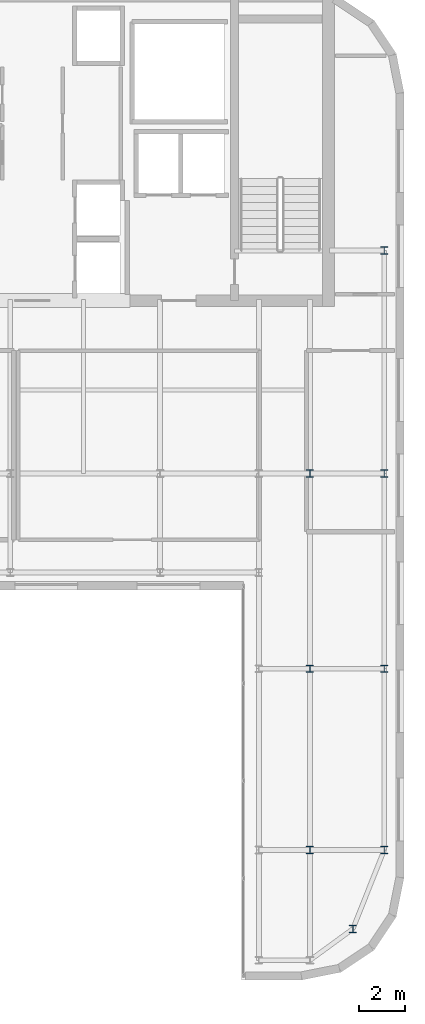
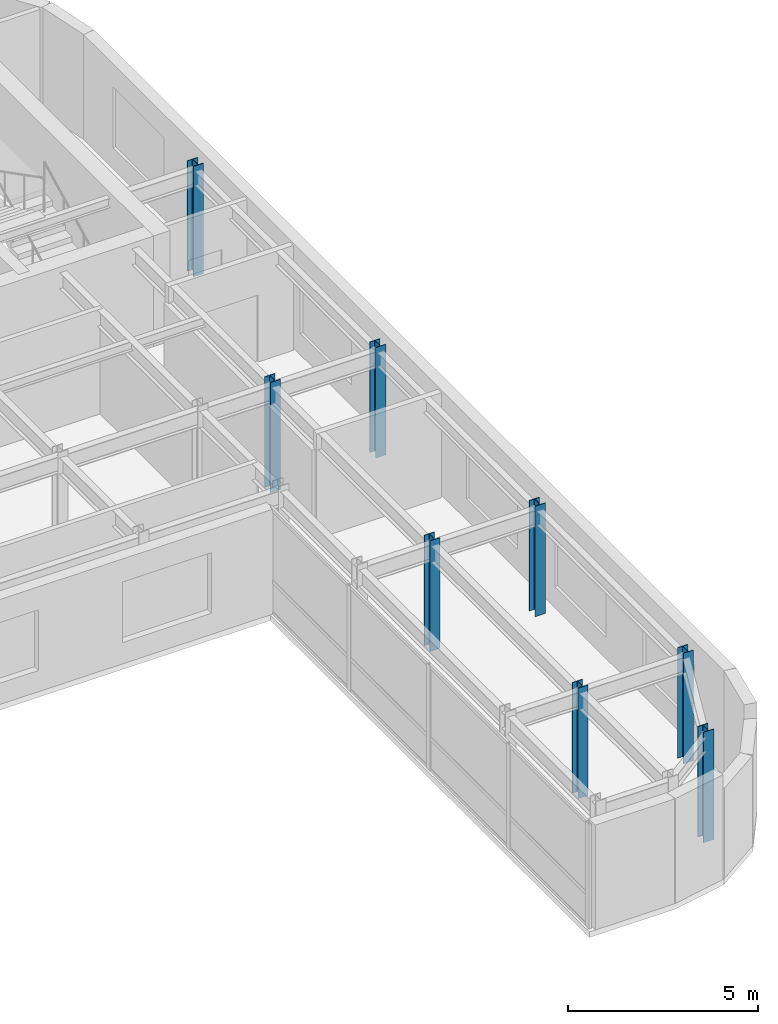
# One storey, part 2 of 18: 8 columns.
"""IFC4 building model written with IfcOpenShell, lengths in metres."""

from ifc_helpers import new_model, si_unit, direction, frame, origin, origin_2d, place, context, subcontext, project, spatial, i_section, extrude, source, transform, mapped, material, material_profile, profile_set, type_object, type_shapes, element, save


model = new_model("IFC4")

# Units and contexts
model_context = context("Model", 3, precision=1e-05, world=origin(), true_north=direction((0.0, 1.0)))
body_context = subcontext(model_context, "Body", "Model", "MODEL_VIEW")
ifc_project = project(units=[si_unit("LENGTHUNIT", "METRE"), si_unit("AREAUNIT", "SQUARE_METRE"), si_unit("VOLUMEUNIT", "CUBIC_METRE"), si_unit("PLANEANGLEUNIT", "RADIAN"), si_unit("MASSUNIT", "GRAM", prefix="KILO")], contexts=[model_context])

# Site, building, storey
site_placement = place(None, origin())
site = spatial("IfcSite", under=ifc_project, at=site_placement, CompositionType="ELEMENT")
building_placement = place(site_placement, origin())
building = spatial("IfcBuilding", under=site, at=building_placement, Name="Tolvann Quenvar Hotel", CompositionType="ELEMENT")
storey_placement = place(building_placement, frame((0.0, 0.0, 245.199951171875)))
storey = spatial("IfcBuildingStorey", under=building, at=storey_placement, Name="L65", CompositionType="ELEMENT", Elevation=245.199951171875)

# Columns
ifc_material = material(Name="Steel Grade 350", Category="steel")
ifc_material_profile_1 = material_profile(ifc_material, i_section(OverallWidth=0.30908203125, OverallDepth=0.321044921875, WebThickness=0.013916015625, FlangeThickness=0.021728515625, FilletRadius=0.0166015625, at=origin_2d()), Name="310UC137")
ifc_profile_set_1 = profile_set([ifc_material_profile_1], Name="Steel Grade 350")
column_type_1 = type_object("IfcColumnType", Name="COL_310UC137", PredefinedType="COLUMN", material=ifc_profile_set_1)
shared_shape_1 = source(origin(), body_context, "Body", "SweptSolid", [
    extrude(i_section(OverallWidth=0.30908203125, OverallDepth=0.321044921875, WebThickness=0.013916015625, FlangeThickness=0.021728515625, FilletRadius=0.0166015625, at=origin_2d()), origin(), (0.0, 0.0, 1.0), 3.550048828125),
])
type_shapes(column_type_1, [shared_shape_1])
for number, where, z_axis, x_axis, name in (
    (1, (36.800048828125, 4.800048828125, 0.0), (0.0, 0.0, 1.0), (1.0, 0.0, 0.0), "Column G2 (L65)"),
    (2, (38.14990234375, 8.199951171875, 0.0), (0.0, 0.0, 1.0), (1.0, 0.0, 0.0), "Column G3 (L65)"),
    (3, (38.14990234375, 16.0, 0.0), (0.0, 0.0, 1.0), (1.0, 0.0, 0.0), "Column G4 (L65)"),
    (4, (38.14990234375, 24.39990234375, 0.0), (0.0, 0.0, 1.0), (1.0, 0.0, 0.0), "Column G5 (L65)"),
    (5, (38.14990234375, 34.0, 0.0), (0.0, 0.0, 1.0), (1.0, 0.0, 0.0), "Column GD6 (L65)"),
):
    element("IfcColumn", number, at=place(storey_placement, frame(where, z_axis=z_axis, x_axis=x_axis)), inside=storey, type_object=column_type_1, Name=name, PredefinedType="COLUMN", context=body_context, shape_type="MappedRepresentation", body=[
        mapped(shared_shape_1, transform((0.0, 0.0, 0.0), x_axis=(1.0, 0.0, 0.0), y_axis=(0.0, 1.0, 0.0), z_axis=(0.0, 0.0, 1.0), scale=1.0)),
    ])
ifc_material_profile_2 = material_profile(ifc_material, i_section(OverallWidth=0.306884765625, OverallDepth=0.31494140625, WebThickness=0.011962890625, FlangeThickness=0.018798828125, FilletRadius=0.0166015625, at=origin_2d()), Name="310UC118")
ifc_profile_set_2 = profile_set([ifc_material_profile_2], Name="Steel Grade 350")
column_type_2 = type_object("IfcColumnType", Name="COL_310UC118", PredefinedType="COLUMN", material=ifc_profile_set_2)
shared_shape_2 = source(origin(), body_context, "Body", "SweptSolid", [
    extrude(i_section(OverallWidth=0.306884765625, OverallDepth=0.31494140625, WebThickness=0.011962890625, FlangeThickness=0.018798828125, FilletRadius=0.0166015625, at=origin_2d()), origin(), (0.0, 0.0, 1.0), 3.550048828125),
])
type_shapes(column_type_2, [shared_shape_2])
for number, where, z_axis, x_axis, name in (
    (6, (34.949951171875, 8.199951171875, 0.0), (0.0, 0.0, 1.0), (1.0, 0.0, 0.0), "Column F3 (L65)"),
    (7, (34.949951171875, 16.0, 0.0), (0.0, 0.0, 1.0), (1.0, 0.0, 0.0), "Column F4 (L65)"),
    (8, (34.949951171875, 24.39990234375, 0.0), (0.0, 0.0, 1.0), (1.0, 0.0, 0.0), "Column F5 (L65)"),
):
    element("IfcColumn", number, at=place(storey_placement, frame(where, z_axis=z_axis, x_axis=x_axis)), inside=storey, type_object=column_type_2, Name=name, PredefinedType="COLUMN", context=body_context, shape_type="MappedRepresentation", body=[
        mapped(shared_shape_2, transform((0.0, 0.0, 0.0), x_axis=(1.0, 0.0, 0.0), y_axis=(0.0, 1.0, 0.0), z_axis=(0.0, 0.0, 1.0), scale=1.0)),
    ])

save(model, "model.ifc")
